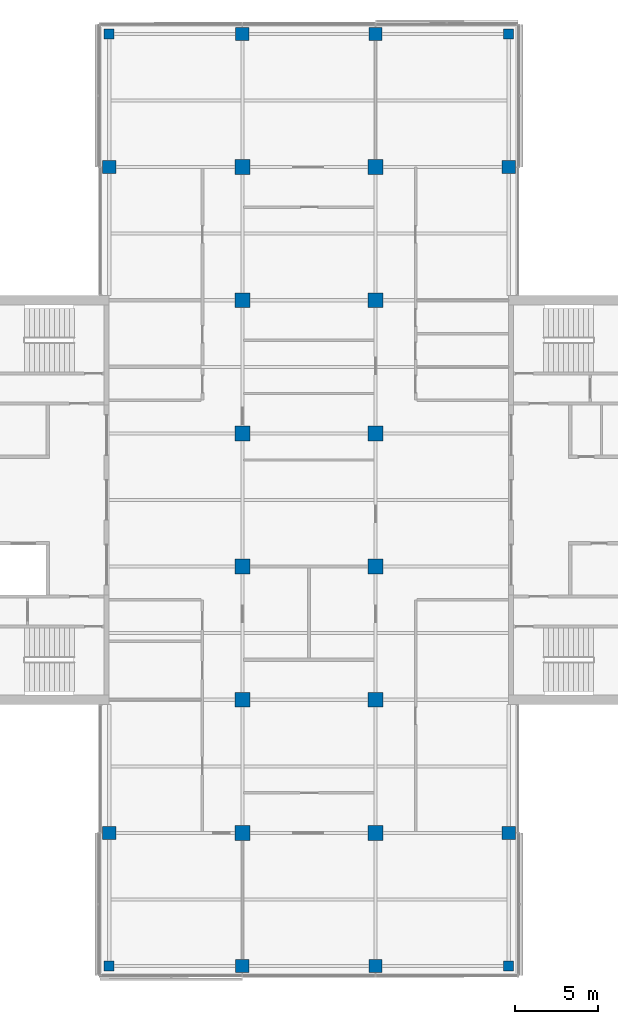
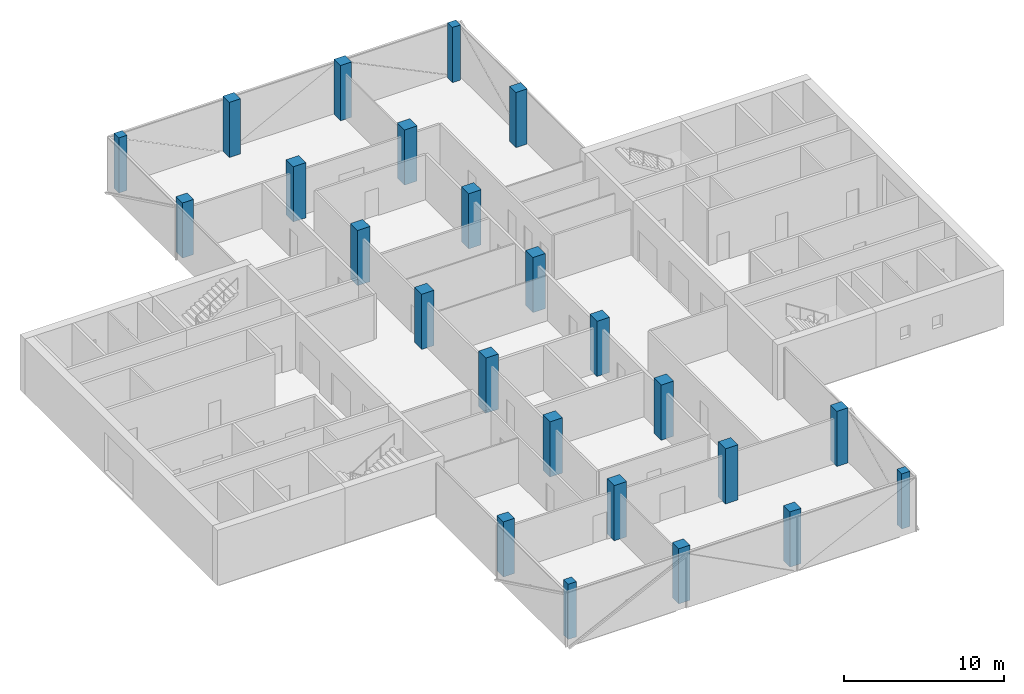
# One storey, part 1 of 15: 24 columns.
"""IFC4 building model written with IfcOpenShell, lengths in metres."""

from ifc_helpers import new_model, si_unit, direction, frame, origin, origin_2d, place, context, subcontext, project, spatial, rectangle, extrude, material, material_profile, profile_set, type_object, element, save


model = new_model("IFC4")

# Units and contexts
model_context = context("Model", 3, precision=1e-05, world=origin(), true_north=direction((0.0, 1.0)))
body_context = subcontext(model_context, "Body", "Model", "MODEL_VIEW")
ifc_project = project(units=[si_unit("LENGTHUNIT", "METRE"), si_unit("AREAUNIT", "SQUARE_METRE"), si_unit("VOLUMEUNIT", "CUBIC_METRE"), si_unit("PLANEANGLEUNIT", "RADIAN"), si_unit("MASSUNIT", "GRAM", prefix="KILO")], contexts=[model_context])

# Site, building, storey
site_placement = place(None, origin())
site = spatial("IfcSite", under=ifc_project, at=site_placement, CompositionType="ELEMENT")
building_placement = place(site_placement, origin())
building = spatial("IfcBuilding", under=site, at=building_placement, Name="Crosswind Convention Tower", CompositionType="ELEMENT")
storey_placement = place(building_placement, frame((0.0, 0.0, 225.10009765625)))
storey = spatial("IfcBuildingStorey", under=building, at=storey_placement, Name="L48", CompositionType="ELEMENT", Elevation=225.10009765625)

# Columns
ifc_material = material(Name="Concrete C60/75", Category="concrete")
ifc_material_profile_1 = material_profile(ifc_material, rectangle(XDim=0.60009765625, YDim=0.60009765625, at=origin_2d()), Name="RC 600X600")
ifc_profile_set_1 = profile_set([ifc_material_profile_1], Name="Concrete C60/75")
column_type_1 = type_object("IfcColumnType", Name="Column RC 600X600", PredefinedType="COLUMN", material=ifc_profile_set_1)
for number, where, z_axis, x_axis, name in (
    (1, (113.0, 72.0, 0.0), (0.0, 0.0, 1.0), (1.0, 0.0, 0.0), "C16 L48 5/C"),
    (2, (113.0, 128.0, 0.0), (0.0, 0.0, 1.0), (1.0, 0.0, 0.0), "C16 L48 5/J"),
    (3, (137.0, 72.0, 0.0), (0.0, 0.0, 1.0), (1.0, 0.0, 0.0), "C16 L48 8/C"),
    (4, (137.0, 128.0, 0.0), (0.0, 0.0, 1.0), (1.0, 0.0, 0.0), "C16 L48 8/J"),
):
    element("IfcColumn", number, at=place(storey_placement, frame(where, z_axis=z_axis, x_axis=x_axis)), inside=storey, type_object=column_type_1, Name=name, PredefinedType="COLUMN", context=body_context, shape_type="SweptSolid", body=[
        extrude(rectangle(XDim=0.60009765625, YDim=0.60009765625, at=origin_2d()), origin(), (0.0, 0.0, 1.0), 4.199951171875),
    ])
ifc_material_profile_2 = material_profile(ifc_material, rectangle(XDim=0.800048828125, YDim=0.800048828125, at=origin_2d()), Name="RC 800X800")
ifc_profile_set_2 = profile_set([ifc_material_profile_2], Name="Concrete C60/75")
column_type_2 = type_object("IfcColumnType", Name="Column RC 800X800", PredefinedType="COLUMN", material=ifc_profile_set_2)
for number, where, z_axis, x_axis, name in (
    (5, (113.0, 80.0, 0.0), (0.0, 0.0, 1.0), (1.0, 0.0, 0.0), "C14 L48 5/D"),
    (6, (113.0, 120.0, 0.0), (0.0, 0.0, 1.0), (1.0, 0.0, 0.0), "C14 L48 5/I"),
    (7, (121.0, 72.0, 0.0), (0.0, 0.0, 1.0), (1.0, 0.0, 0.0), "C14 L48 6/C"),
    (8, (121.0, 128.0, 0.0), (0.0, 0.0, 1.0), (1.0, 0.0, 0.0), "C14 L48 6/J"),
    (9, (129.0, 72.0, 0.0), (0.0, 0.0, 1.0), (1.0, 0.0, 0.0), "C14 L48 7/C"),
    (10, (129.0, 128.0, 0.0), (0.0, 0.0, 1.0), (1.0, 0.0, 0.0), "C14 L48 7/J"),
    (11, (137.0, 80.0, 0.0), (0.0, 0.0, 1.0), (1.0, 0.0, 0.0), "C14 L48 8/D"),
    (12, (137.0, 120.0, 0.0), (0.0, 0.0, 1.0), (1.0, 0.0, 0.0), "C14 L48 8/I"),
):
    element("IfcColumn", number, at=place(storey_placement, frame(where, z_axis=z_axis, x_axis=x_axis)), inside=storey, type_object=column_type_2, Name=name, PredefinedType="COLUMN", context=body_context, shape_type="SweptSolid", body=[
        extrude(rectangle(XDim=0.800048828125, YDim=0.800048828125, at=origin_2d()), origin(), (0.0, 0.0, 1.0), 4.199951171875),
    ])
ifc_material_profile_3 = material_profile(ifc_material, rectangle(XDim=0.89990234375, YDim=0.89990234375, at=origin_2d()), Name="RC 900X900")
ifc_profile_set_3 = profile_set([ifc_material_profile_3], Name="Concrete C60/75")
column_type_3 = type_object("IfcColumnType", Name="Column RC 900X900", PredefinedType="COLUMN", material=ifc_profile_set_3)
for number, where, z_axis, x_axis, name in (
    (13, (121.0, 80.0, 0.0), (0.0, 0.0, 1.0), (1.0, 0.0, 0.0), "C13 L48 6/D"),
    (14, (121.0, 88.0, 0.0), (0.0, 0.0, 1.0), (1.0, 0.0, 0.0), "C13 L48 6/E"),
    (15, (121.0, 96.0, 0.0), (0.0, 0.0, 1.0), (1.0, 0.0, 0.0), "C13 L48 6/F"),
    (16, (121.0, 104.0, 0.0), (0.0, 0.0, 1.0), (1.0, 0.0, 0.0), "C13 L48 6/G"),
    (17, (121.0, 112.0, 0.0), (0.0, 0.0, 1.0), (1.0, 0.0, 0.0), "C13 L48 6/H"),
    (18, (121.0, 120.0, 0.0), (0.0, 0.0, 1.0), (1.0, 0.0, 0.0), "C13 L48 6/I"),
    (19, (129.0, 80.0, 0.0), (0.0, 0.0, 1.0), (1.0, 0.0, 0.0), "C13 L48 7/D"),
    (20, (129.0, 88.0, 0.0), (0.0, 0.0, 1.0), (1.0, 0.0, 0.0), "C13 L48 7/E"),
    (21, (129.0, 96.0, 0.0), (0.0, 0.0, 1.0), (1.0, 0.0, 0.0), "C13 L48 7/F"),
    (22, (129.0, 104.0, 0.0), (0.0, 0.0, 1.0), (1.0, 0.0, 0.0), "C13 L48 7/G"),
    (23, (129.0, 112.0, 0.0), (0.0, 0.0, 1.0), (1.0, 0.0, 0.0), "C13 L48 7/H"),
    (24, (129.0, 120.0, 0.0), (0.0, 0.0, 1.0), (1.0, 0.0, 0.0), "C13 L48 7/I"),
):
    element("IfcColumn", number, at=place(storey_placement, frame(where, z_axis=z_axis, x_axis=x_axis)), inside=storey, type_object=column_type_3, Name=name, PredefinedType="COLUMN", context=body_context, shape_type="SweptSolid", body=[
        extrude(rectangle(XDim=0.89990234375, YDim=0.89990234375, at=origin_2d()), origin(), (0.0, 0.0, 1.0), 4.199951171875),
    ])

save(model, "model.ifc")
